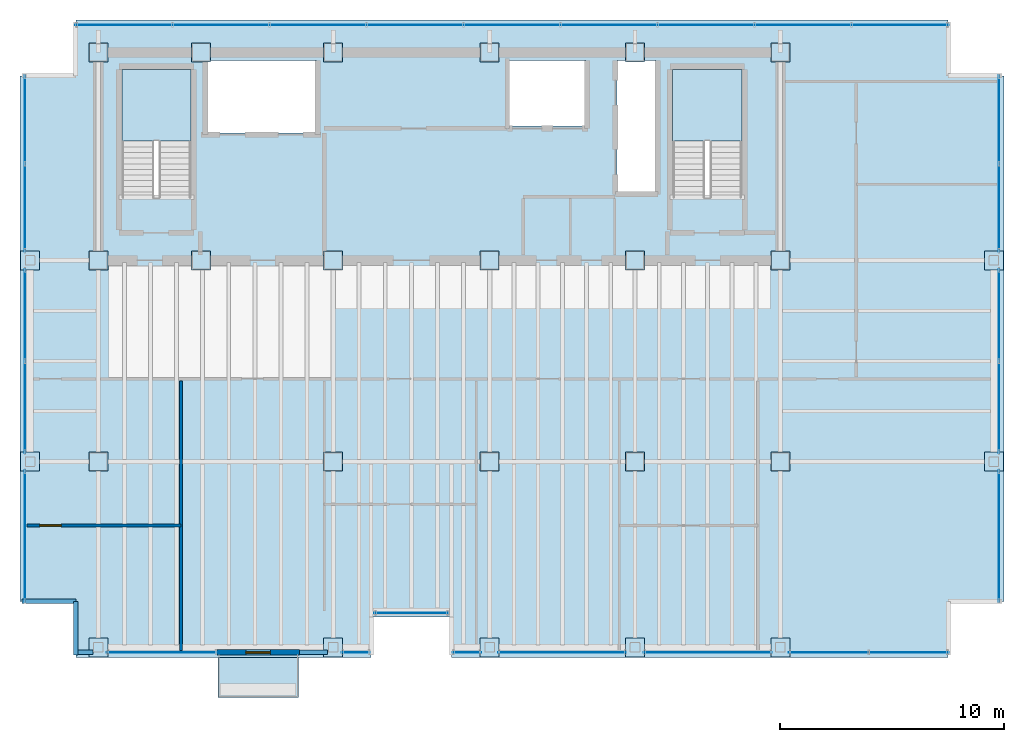
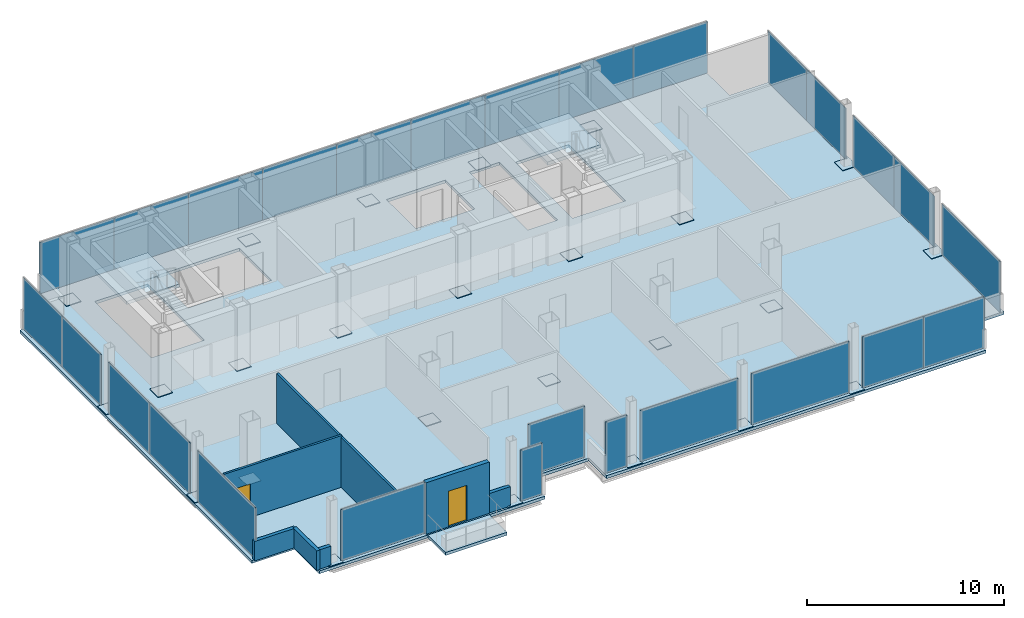
# One storey, part 12 of 15: 53 plates, 7 walls, 4 slabs, 2 doors, 7 openings, 16 elements without a shape of their own.
"""IFC4 building model written with IfcOpenShell, lengths in metres."""

import ifcopenshell
import ifcopenshell.guid

model = None  # the IFC model being written
_history = None  # IfcOwnerHistory: only IFC2X3 demands one
_inside = {}  # id of a spatial element -> (the spatial element, [elements in it])
_under = {}  # id of a project, library or spatial element -> (it, [spatial elements below it])
_declared = {}  # id of a project -> (the project, [libraries it declares])
_typed = {}  # id of a type object -> (the type object, [elements of that type])
_made_of = {}  # id of a material, layer set ... -> (it, [elements and type objects made of it])


def new_model(schema):
    """Start an empty IFC model of exactly this schema.

    Asked for "IFC4X3", IfcOpenShell would pick the latest addendum, in which some entities
    have other attributes; the version numbers below select the first issue.
    IFC2X3 requires an IfcOwnerHistory on every rooted entity: one is made here for all.
    """
    global model, _history
    if schema == "IFC4X3":
        model = ifcopenshell.file(schema_version=(4, 3, 0, 0))
    else:
        model = ifcopenshell.file(schema=schema)
    _inside.clear()
    _under.clear()
    _declared.clear()
    _typed.clear()
    _made_of.clear()
    _history = None
    if model.schema == "IFC2X3":
        org = make("IfcOrganization", Name="unknown")
        user = make(
            "IfcPersonAndOrganization",
            ThePerson=make("IfcPerson", FamilyName="unknown"),
            TheOrganization=org,
        )
        app = make(
            "IfcApplication",
            ApplicationDeveloper=org,
            Version="unknown",
            ApplicationFullName="unknown",
            ApplicationIdentifier="unknown",
        )
        _history = make(
            "IfcOwnerHistory",
            OwningUser=user,
            OwningApplication=app,
            ChangeAction="ADDED",
            CreationDate=0,
        )
    return model


def make(cls, **values):
    """One entity of the class cls with the attributes given. An attribute that is None is left unset."""
    return model.create_entity(
        cls, **{name: value for name, value in values.items() if value is not None}
    )


def rooted(cls, **values):
    """An entity with a GlobalId (a new one), such as an element, a storey or a relation."""
    return make(cls, GlobalId=ifcopenshell.guid.new(), OwnerHistory=_history, **values)


def si_unit(unit_type, name, prefix=None):
    """IfcSIUnit, for example si_unit("LENGTHUNIT", "METRE", prefix="MILLI")."""
    return make("IfcSIUnit", UnitType=unit_type, Prefix=prefix, Name=name)


def assignment(units):
    """IfcUnitAssignment: the units of a project."""
    return None if units is None else make("IfcUnitAssignment", Units=units)


def point(xyz):
    """IfcCartesianPoint."""
    return None if xyz is None else make("IfcCartesianPoint", Coordinates=xyz)


def direction(xyz):
    """IfcDirection."""
    return None if xyz is None else make("IfcDirection", DirectionRatios=xyz)


def frame(location, z_axis=None, x_axis=None):
    """IfcAxis2Placement3D, a coordinate frame: its origin and axes. An axis left out is left unset."""
    return make(
        "IfcAxis2Placement3D",
        Location=point(location),
        Axis=direction(z_axis),
        RefDirection=direction(x_axis),
    )


def frame_2d(location, x_axis=None):
    """IfcAxis2Placement2D, a coordinate frame in the plane: its origin and x axis."""
    return make(
        "IfcAxis2Placement2D", Location=point(location), RefDirection=direction(x_axis)
    )


def origin():
    """The frame at (0, 0, 0) with its axes left unset."""
    return frame((0.0, 0.0, 0.0))


def origin_2d():
    """The frame at (0, 0) in the plane with its x axis left unset."""
    return frame_2d((0.0, 0.0))


def place(relative_to, where):
    """IfcLocalPlacement: puts the frame where relative to a parent placement (None: the world)."""
    return make(
        "IfcLocalPlacement", PlacementRelTo=relative_to, RelativePlacement=where
    )


def context(
    kind, dimensions, precision=None, world=None, true_north=None, identifier=None
):
    """IfcGeometricRepresentationContext, for example the 3D "Model" context."""
    return make(
        "IfcGeometricRepresentationContext",
        ContextIdentifier=identifier,
        ContextType=kind,
        CoordinateSpaceDimension=dimensions,
        Precision=precision,
        WorldCoordinateSystem=world,
        TrueNorth=true_north,
    )


def subcontext(parent, identifier, kind, view, scale=None):
    """IfcGeometricRepresentationSubContext, for example "Body" below "Model"."""
    return make(
        "IfcGeometricRepresentationSubContext",
        ContextIdentifier=identifier,
        ContextType=kind,
        ParentContext=parent,
        TargetScale=scale,
        TargetView=view,
    )


def project(units=None, contexts=None):
    """IfcProject with its units and contexts."""
    return rooted(
        "IfcProject",
        Name="project",
        RepresentationContexts=contexts,
        UnitsInContext=assignment(units),
    )


def spatial(cls, under=None, at=None, **own):
    """A site, building, storey or space (cls), placed at a placement, below another one or the project."""
    s = rooted(cls, ObjectPlacement=at, **own)
    if under is not None:
        _under.setdefault(under.id(), (under, []))[1].append(s)
    return s


def polyline(points):
    """IfcPolyline through the points."""
    return make("IfcPolyline", Points=[point(p) for p in points])


def profile(cls, at=None, kind="AREA", **sizes):
    """A parametric profile (cls). Its sizes go by their IFC names, for example OverallWidth=200.0."""
    return make(cls, ProfileType=kind, Position=at, **sizes)


def rectangle(**sizes):
    """IfcRectangleProfileDef."""
    return profile("IfcRectangleProfileDef", **sizes)


def outline(outer, holes=None, kind="AREA"):
    """IfcArbitraryClosedProfileDef: a profile drawn as a closed curve; with holes, ...WithVoids."""
    if holes is None:
        return make("IfcArbitraryClosedProfileDef", ProfileType=kind, OuterCurve=outer)
    return make(
        "IfcArbitraryProfileDefWithVoids",
        ProfileType=kind,
        OuterCurve=outer,
        InnerCurves=holes,
    )


def extrude(swept, where, along, depth):
    """IfcExtrudedAreaSolid: the profile swept, set in the frame where, extruded along a direction by depth."""
    return make(
        "IfcExtrudedAreaSolid",
        SweptArea=swept,
        Position=where,
        ExtrudedDirection=direction(along),
        Depth=depth,
    )


def shape(context_of_items, identifier, shape_type, items):
    """IfcShapeRepresentation: the items that make up one representation, for example the "Body"."""
    return make(
        "IfcShapeRepresentation",
        ContextOfItems=context_of_items,
        RepresentationIdentifier=identifier,
        RepresentationType=shape_type,
        Items=items,
    )


def material(Name=None, Category=None):
    """IfcMaterial."""
    return make("IfcMaterial", Name=Name, Category=Category)


def layer(
    of_material, thickness, ventilated=None, Name=None, Category=None, Priority=None
):
    """IfcMaterialLayer: one layer of a wall or slab, of a material (None: an air gap)."""
    return make(
        "IfcMaterialLayer",
        Material=of_material,
        LayerThickness=thickness,
        IsVentilated=ventilated,
        Name=Name,
        Category=Category,
        Priority=Priority,
    )


def layer_set(layers, Name=None):
    """IfcMaterialLayerSet."""
    return make("IfcMaterialLayerSet", MaterialLayers=layers, LayerSetName=Name)


def made_of(thing, what):
    """Note that an element or type object is made of a material, layer set ...; save() writes the relation."""
    if what is not None:
        _made_of.setdefault(what.id(), (what, []))[1].append(thing)
    return thing


def type_object(cls, material=None, **own):
    """A type object (cls), such as IfcWallType, which elements share."""
    return made_of(rooted(cls, **own), material)


def element(
    cls,
    number,
    at=None,
    inside=None,
    cuts=None,
    type_object=None,
    material=None,
    context=None,
    identifier="Body",
    shape_type=None,
    held_by="IfcProductDefinitionShape",
    body=None,
    shapes=None,
    **own,
):
    """One element of the class cls, such as IfcWall. Its Tag is "e" and its number.

    at: its placement. inside: the storey or other place that contains it. cuts: it is an
    opening in that element (IfcRelVoidsElement). A single representation is given by context,
    identifier, shape_type and body (its items); several are given by shapes. held_by: the class
    of the entity that holds the representations. save() writes the other relations.
    """
    e = rooted(cls, Tag="e%d" % number, ObjectPlacement=at, **own)
    if body is not None:
        shapes = [shape(context, identifier, shape_type, body)]
    if shapes is not None:
        e.Representation = make(held_by, Representations=shapes)
    if inside is not None:
        _inside.setdefault(inside.id(), (inside, []))[1].append(e)
    if cuts is not None:
        rooted(
            "IfcRelVoidsElement", RelatingBuildingElement=cuts, RelatedOpeningElement=e
        )
    if type_object is not None:
        _typed.setdefault(type_object.id(), (type_object, []))[1].append(e)
    return made_of(e, material)


def fill(opening, filler):
    """IfcRelFillsElement: the door or window that sits in an opening."""
    return rooted(
        "IfcRelFillsElement",
        RelatingOpeningElement=opening,
        RelatedBuildingElement=filler,
    )


def aggregate(whole, parts):
    """IfcRelAggregates: a whole, such as a stair, and the parts it consists of."""
    return rooted("IfcRelAggregates", RelatingObject=whole, RelatedObjects=parts)


def save(model, path):
    """Write the relations noted so far, then the file.

    IfcRelAggregates (storeys below a building ...), IfcRelContainedInSpatialStructure (elements
    in a storey), IfcRelDefinesByType, IfcRelAssociatesMaterial and IfcRelDeclares: one each for
    every whole, place, type object, material and project.
    """
    for whole, parts in _under.values():
        aggregate(whole, parts)
    for where, things in _inside.values():
        rooted(
            "IfcRelContainedInSpatialStructure",
            RelatedElements=things,
            RelatingStructure=where,
        )
    for kind, things in _typed.values():
        rooted("IfcRelDefinesByType", RelatedObjects=things, RelatingType=kind)
    for what, things in _made_of.values():
        rooted("IfcRelAssociatesMaterial", RelatedObjects=things, RelatingMaterial=what)
    for by, libraries in _declared.values():
        rooted("IfcRelDeclares", RelatingContext=by, RelatedDefinitions=libraries)
    model.write(path)


model = new_model("IFC4")

# Units and contexts
model_context = context("Model", 3, precision=1e-05, world=origin(), true_north=direction((0.0, 1.0)))
body_context = subcontext(model_context, "Body", "Model", "MODEL_VIEW")
ifc_project = project(units=[si_unit("LENGTHUNIT", "METRE"), si_unit("AREAUNIT", "SQUARE_METRE"), si_unit("VOLUMEUNIT", "CUBIC_METRE"), si_unit("PLANEANGLEUNIT", "RADIAN"), si_unit("MASSUNIT", "GRAM", prefix="KILO")], contexts=[model_context])

# Site, building, storey
site_placement = place(None, origin())
site = spatial("IfcSite", under=ifc_project, at=site_placement, CompositionType="ELEMENT")
building_placement = place(site_placement, origin())
building = spatial("IfcBuilding", under=site, at=building_placement, Name="Noeulbin Bourse Tower", CompositionType="ELEMENT")
storey_placement = place(building_placement, frame((0.0, 0.0, 222.800048828125)))
storey = spatial("IfcBuildingStorey", under=building, at=storey_placement, Name="L55", CompositionType="ELEMENT", Elevation=222.800048828125)

# Curtain wall, plate
ifc_material_1 = material(Name="High-Selectivity Low-Iron Glazing", Category="glass")
curtain_wall_type = type_object("IfcCurtainWallType", Name="CW-SYS-4", PredefinedType="NOTDEFINED", material=ifc_material_1)
curtain_wall_1_placement = place(storey_placement, origin())
curtain_wall_1 = element("IfcCurtainWall", 1, at=curtain_wall_1_placement, inside=storey, type_object=curtain_wall_type, Name="Unitised Curtain Wall CW-L55-SREC", PredefinedType="NOTDEFINED")
ifc_layer_1 = layer(ifc_material_1, 0.035888671875)
ifc_layer_set_1 = layer_set([ifc_layer_1], Name="High-Selectivity Low-Iron Glazing")
plate_type_1 = type_object("IfcPlateType", Name="CW-SYS-4-PNL", PredefinedType="CURTAIN_PANEL", material=ifc_layer_set_1)
plate_1_placement = place(storey_placement, frame((27.5, 13.22998046875, 0.0), z_axis=(0.0, 0.0, 1.0), x_axis=(1.0, 0.0, 0.0)))
plate_1 = element("IfcPlate", 2, at=plate_1_placement, type_object=plate_type_1, Name="Glazed Curtain Panel CW-L55-SREC-P00", PredefinedType="CURTAIN_PANEL", context=body_context, shape_type="SweptSolid", body=[
    extrude(rectangle(XDim=3.300048828125, YDim=0.035888671875, at=origin_2d()), origin(), (0.0, 0.0, 1.0), 3.179931640625),
])
aggregate(curtain_wall_1, [plate_1])

curtain_wall_2_placement = place(storey_placement, origin())
curtain_wall_2 = element("IfcCurtainWall", 3, at=curtain_wall_2_placement, inside=storey, type_object=curtain_wall_type, Name="Unitised Curtain Wall CW-L55-S1", PredefinedType="NOTDEFINED")
plate_2_placement = place(storey_placement, frame((16.342529296875, 11.469970703125, 0.0), z_axis=(0.0, 0.0, 1.0), x_axis=(1.0, 0.0, 0.0)))
plate_2 = element("IfcPlate", 4, at=plate_2_placement, type_object=plate_type_1, Name="Glazed Curtain Panel CW-L55-S1-P00", PredefinedType="CURTAIN_PANEL", context=body_context, shape_type="SweptSolid", body=[
    extrude(rectangle(XDim=4.9150390625, YDim=0.035888671875, at=origin_2d()), origin(), (0.0, 0.0, 1.0), 3.179931640625),
])
aggregate(curtain_wall_2, [plate_2])

curtain_wall_3_placement = place(storey_placement, origin())
curtain_wall_3 = element("IfcCurtainWall", 5, at=curtain_wall_3_placement, inside=storey, type_object=curtain_wall_type, Name="Unitised Curtain Wall CW-L55-S2", PredefinedType="NOTDEFINED")
plate_3_placement = place(storey_placement, frame((25.017578125, 11.469970703125, 0.0), z_axis=(0.0, 0.0, 1.0), x_axis=(1.0, 0.0, 0.0)))
plate_3 = element("IfcPlate", 6, at=plate_3_placement, type_object=plate_type_1, Name="Glazed Curtain Panel CW-L55-S2-P00", PredefinedType="CURTAIN_PANEL", context=body_context, shape_type="SweptSolid", body=[
    extrude(rectangle(XDim=1.264892578125, YDim=0.035888671875, at=origin_2d()), origin(), (0.0, 0.0, 1.0), 3.179931640625),
])
aggregate(curtain_wall_3, [plate_3])

curtain_wall_4_placement = place(storey_placement, origin())
curtain_wall_4 = element("IfcCurtainWall", 7, at=curtain_wall_4_placement, inside=storey, type_object=curtain_wall_type, Name="Unitised Curtain Wall CW-L55-S3-S1", PredefinedType="NOTDEFINED")
plate_4_placement = place(storey_placement, frame((29.982421875, 11.469970703125, 0.0), z_axis=(0.0, 0.0, 1.0), x_axis=(1.0, 0.0, 0.0)))
plate_4 = element("IfcPlate", 8, at=plate_4_placement, type_object=plate_type_1, Name="Glazed Curtain Panel CW-L55-S3-S1-P00", PredefinedType="CURTAIN_PANEL", context=body_context, shape_type="SweptSolid", body=[
    extrude(rectangle(XDim=1.264892578125, YDim=0.035888671875, at=origin_2d()), origin(), (0.0, 0.0, 1.0), 3.179931640625),
])
aggregate(curtain_wall_4, [plate_4])

curtain_wall_5_placement = place(storey_placement, origin())
curtain_wall_5 = element("IfcCurtainWall", 9, at=curtain_wall_5_placement, inside=storey, type_object=curtain_wall_type, Name="Unitised Curtain Wall CW-L55-S3-S2", PredefinedType="NOTDEFINED")
plate_5_placement = place(storey_placement, frame((34.25, 11.469970703125, 0.0), z_axis=(0.0, 0.0, 1.0), x_axis=(1.0, 0.0, 0.0)))
plate_5 = element("IfcPlate", 10, at=plate_5_placement, type_object=plate_type_1, Name="Glazed Curtain Panel CW-L55-S3-S2-P00", PredefinedType="CURTAIN_PANEL", context=body_context, shape_type="SweptSolid", body=[
    extrude(rectangle(XDim=5.72998046875, YDim=0.035888671875, at=origin_2d()), origin(), (0.0, 0.0, 1.0), 3.179931640625),
])
aggregate(curtain_wall_5, [plate_5])

curtain_wall_6_placement = place(storey_placement, origin())
curtain_wall_6 = element("IfcCurtainWall", 11, at=curtain_wall_6_placement, inside=storey, type_object=curtain_wall_type, Name="Unitised Curtain Wall CW-L55-S3-S3", PredefinedType="NOTDEFINED")
plate_6_placement = place(storey_placement, frame((40.75, 11.469970703125, 0.0), z_axis=(0.0, 0.0, 1.0), x_axis=(1.0, 0.0, 0.0)))
plate_6 = element("IfcPlate", 12, at=plate_6_placement, type_object=plate_type_1, Name="Glazed Curtain Panel CW-L55-S3-S3-P00", PredefinedType="CURTAIN_PANEL", context=body_context, shape_type="SweptSolid", body=[
    extrude(rectangle(XDim=5.72998046875, YDim=0.035888671875, at=origin_2d()), origin(), (0.0, 0.0, 1.0), 3.179931640625),
])
aggregate(curtain_wall_6, [plate_6])

# Curtain wall, plates
curtain_wall_7_placement = place(storey_placement, origin())
curtain_wall_7 = element("IfcCurtainWall", 13, at=curtain_wall_7_placement, inside=storey, type_object=curtain_wall_type, Name="Unitised Curtain Wall CW-L55-S3-S4", PredefinedType="NOTDEFINED")
plate_7_placement = place(storey_placement, frame((46.168701171875, 11.469970703125, 0.0), z_axis=(0.0, 0.0, 1.0), x_axis=(1.0, 0.0, 0.0)))
plate_7 = element("IfcPlate", 14, at=plate_7_placement, type_object=plate_type_1, Name="Glazed Curtain Panel CW-L55-S3-S4-P00", PredefinedType="CURTAIN_PANEL", context=body_context, shape_type="SweptSolid", body=[
    extrude(rectangle(XDim=3.5673828125, YDim=0.035888671875, at=origin_2d()), origin(), (0.0, 0.0, 1.0), 3.179931640625),
])
plate_8_placement = place(storey_placement, frame((49.736083984375, 11.469970703125, 0.0), z_axis=(0.0, 0.0, 1.0), x_axis=(1.0, 0.0, 0.0)))
plate_8 = element("IfcPlate", 15, at=plate_8_placement, type_object=plate_type_1, Name="Glazed Curtain Panel CW-L55-S3-S4-P01", PredefinedType="CURTAIN_PANEL", context=body_context, shape_type="SweptSolid", body=[
    extrude(rectangle(XDim=3.5673828125, YDim=0.035888671875, at=origin_2d()), origin(), (0.0, 0.0, 1.0), 3.179931640625),
])
aggregate(curtain_wall_7, [plate_7, plate_8])

curtain_wall_8_placement = place(storey_placement, origin())
curtain_wall_8 = element("IfcCurtainWall", 16, at=curtain_wall_8_placement, inside=storey, type_object=curtain_wall_type, Name="Unitised Curtain Wall CW-L55-N", PredefinedType="NOTDEFINED")
plate_9_placement = place(storey_placement, frame((14.64892578125, 39.530029296875, 0.0), z_axis=(0.0, 0.0, 1.0), x_axis=(1.0, 0.0, 0.0)))
plate_9 = element("IfcPlate", 17, at=plate_9_placement, type_object=plate_type_1, Name="Glazed Curtain Panel CW-L55-N-P00", PredefinedType="CURTAIN_PANEL", context=body_context, shape_type="SweptSolid", body=[
    extrude(rectangle(XDim=4.337890625, YDim=0.035888671875, at=origin_2d()), origin(), (0.0, 0.0, 1.0), 3.179931640625),
])
plate_10_placement = place(storey_placement, frame((18.98681640625, 39.530029296875, 0.0), z_axis=(0.0, 0.0, 1.0), x_axis=(1.0, 0.0, 0.0)))
plate_10 = element("IfcPlate", 18, at=plate_10_placement, type_object=plate_type_1, Name="Glazed Curtain Panel CW-L55-N-P01", PredefinedType="CURTAIN_PANEL", context=body_context, shape_type="SweptSolid", body=[
    extrude(rectangle(XDim=4.337890625, YDim=0.035888671875, at=origin_2d()), origin(), (0.0, 0.0, 1.0), 3.179931640625),
])
plate_11_placement = place(storey_placement, frame((23.324462890625, 39.530029296875, 0.0), z_axis=(0.0, 0.0, 1.0), x_axis=(1.0, 0.0, 0.0)))
plate_11 = element("IfcPlate", 19, at=plate_11_placement, type_object=plate_type_1, Name="Glazed Curtain Panel CW-L55-N-P02", PredefinedType="CURTAIN_PANEL", context=body_context, shape_type="SweptSolid", body=[
    extrude(rectangle(XDim=4.337890625, YDim=0.035888671875, at=origin_2d()), origin(), (0.0, 0.0, 1.0), 3.179931640625),
])
plate_12_placement = place(storey_placement, frame((27.662109375, 39.530029296875, 0.0), z_axis=(0.0, 0.0, 1.0), x_axis=(1.0, 0.0, 0.0)))
plate_12 = element("IfcPlate", 20, at=plate_12_placement, type_object=plate_type_1, Name="Glazed Curtain Panel CW-L55-N-P03", PredefinedType="CURTAIN_PANEL", context=body_context, shape_type="SweptSolid", body=[
    extrude(rectangle(XDim=4.337890625, YDim=0.035888671875, at=origin_2d()), origin(), (0.0, 0.0, 1.0), 3.179931640625),
])
plate_13_placement = place(storey_placement, frame((32.0, 39.530029296875, 0.0), z_axis=(0.0, 0.0, 1.0), x_axis=(1.0, 0.0, 0.0)))
plate_13 = element("IfcPlate", 21, at=plate_13_placement, type_object=plate_type_1, Name="Glazed Curtain Panel CW-L55-N-P04", PredefinedType="CURTAIN_PANEL", context=body_context, shape_type="SweptSolid", body=[
    extrude(rectangle(XDim=4.337890625, YDim=0.035888671875, at=origin_2d()), origin(), (0.0, 0.0, 1.0), 3.179931640625),
])
plate_14_placement = place(storey_placement, frame((36.337890625, 39.530029296875, 0.0), z_axis=(0.0, 0.0, 1.0), x_axis=(1.0, 0.0, 0.0)))
plate_14 = element("IfcPlate", 22, at=plate_14_placement, type_object=plate_type_1, Name="Glazed Curtain Panel CW-L55-N-P05", PredefinedType="CURTAIN_PANEL", context=body_context, shape_type="SweptSolid", body=[
    extrude(rectangle(XDim=4.337890625, YDim=0.035888671875, at=origin_2d()), origin(), (0.0, 0.0, 1.0), 3.179931640625),
])
plate_15_placement = place(storey_placement, frame((40.675537109375, 39.530029296875, 0.0), z_axis=(0.0, 0.0, 1.0), x_axis=(1.0, 0.0, 0.0)))
plate_15 = element("IfcPlate", 23, at=plate_15_placement, type_object=plate_type_1, Name="Glazed Curtain Panel CW-L55-N-P06", PredefinedType="CURTAIN_PANEL", context=body_context, shape_type="SweptSolid", body=[
    extrude(rectangle(XDim=4.337890625, YDim=0.035888671875, at=origin_2d()), origin(), (0.0, 0.0, 1.0), 3.179931640625),
])
plate_16_placement = place(storey_placement, frame((45.01318359375, 39.530029296875, 0.0), z_axis=(0.0, 0.0, 1.0), x_axis=(1.0, 0.0, 0.0)))
plate_16 = element("IfcPlate", 24, at=plate_16_placement, type_object=plate_type_1, Name="Glazed Curtain Panel CW-L55-N-P07", PredefinedType="CURTAIN_PANEL", context=body_context, shape_type="SweptSolid", body=[
    extrude(rectangle(XDim=4.337890625, YDim=0.035888671875, at=origin_2d()), origin(), (0.0, 0.0, 1.0), 3.179931640625),
])
plate_17_placement = place(storey_placement, frame((49.35107421875, 39.530029296875, 0.0), z_axis=(0.0, 0.0, 1.0), x_axis=(1.0, 0.0, 0.0)))
plate_17 = element("IfcPlate", 25, at=plate_17_placement, type_object=plate_type_1, Name="Glazed Curtain Panel CW-L55-N-P08", PredefinedType="CURTAIN_PANEL", context=body_context, shape_type="SweptSolid", body=[
    extrude(rectangle(XDim=4.337890625, YDim=0.035888671875, at=origin_2d()), origin(), (0.0, 0.0, 1.0), 3.179931640625),
])
aggregate(curtain_wall_8, [plate_9, plate_10, plate_11, plate_12, plate_13, plate_14, plate_15, plate_16, plate_17])

# Curtain wall, plate
curtain_wall_9_placement = place(storey_placement, origin())
curtain_wall_9 = element("IfcCurtainWall", 26, at=curtain_wall_9_placement, inside=storey, type_object=curtain_wall_type, Name="Unitised Curtain Wall CW-L55-W-S1", PredefinedType="NOTDEFINED")
plate_18_placement = place(storey_placement, frame((10.219970703125, 16.672607421875, 0.0), z_axis=(0.0, 0.0, 1.0), x_axis=(0.0, 1.0, 0.0)))
plate_18 = element("IfcPlate", 27, at=plate_18_placement, type_object=plate_type_1, Name="Glazed Curtain Panel CW-L55-W-S1-P00", PredefinedType="CURTAIN_PANEL", context=body_context, shape_type="SweptSolid", body=[
    extrude(rectangle(XDim=5.885009765625, YDim=0.035888671875, at=origin_2d()), origin(), (0.0, 0.0, 1.0), 3.179931640625),
])
aggregate(curtain_wall_9, [plate_18])

# Curtain wall, plates
curtain_wall_10_placement = place(storey_placement, origin())
curtain_wall_10 = element("IfcCurtainWall", 28, at=curtain_wall_10_placement, inside=storey, type_object=curtain_wall_type, Name="Unitised Curtain Wall CW-L55-W-S2", PredefinedType="NOTDEFINED")
plate_19_placement = place(storey_placement, frame((10.219970703125, 22.4423828125, 0.0), z_axis=(0.0, 0.0, 1.0), x_axis=(0.0, 1.0, 0.0)))
plate_19 = element("IfcPlate", 29, at=plate_19_placement, type_object=plate_type_1, Name="Glazed Curtain Panel CW-L55-W-S2-P00", PredefinedType="CURTAIN_PANEL", context=body_context, shape_type="SweptSolid", body=[
    extrude(rectangle(XDim=4.114990234375, YDim=0.035888671875, at=origin_2d()), origin(), (0.0, 0.0, 1.0), 3.179931640625),
])
plate_20_placement = place(storey_placement, frame((10.219970703125, 26.5576171875, 0.0), z_axis=(0.0, 0.0, 1.0), x_axis=(0.0, 1.0, 0.0)))
plate_20 = element("IfcPlate", 30, at=plate_20_placement, type_object=plate_type_1, Name="Glazed Curtain Panel CW-L55-W-S2-P01", PredefinedType="CURTAIN_PANEL", context=body_context, shape_type="SweptSolid", body=[
    extrude(rectangle(XDim=4.114990234375, YDim=0.035888671875, at=origin_2d()), origin(), (0.0, 0.0, 1.0), 3.179931640625),
])
aggregate(curtain_wall_10, [plate_19, plate_20])

curtain_wall_11_placement = place(storey_placement, origin())
curtain_wall_11 = element("IfcCurtainWall", 31, at=curtain_wall_11_placement, inside=storey, type_object=curtain_wall_type, Name="Unitised Curtain Wall CW-L55-W-S3", PredefinedType="NOTDEFINED")
plate_21_placement = place(storey_placement, frame((10.219970703125, 31.356201171875, 0.0), z_axis=(0.0, 0.0, 1.0), x_axis=(0.0, 1.0, 0.0)))
plate_21 = element("IfcPlate", 32, at=plate_21_placement, type_object=plate_type_1, Name="Glazed Curtain Panel CW-L55-W-S3-P00", PredefinedType="CURTAIN_PANEL", context=body_context, shape_type="SweptSolid", body=[
    extrude(rectangle(XDim=3.9423828125, YDim=0.035888671875, at=origin_2d()), origin(), (0.0, 0.0, 1.0), 3.179931640625),
])
plate_22_placement = place(storey_placement, frame((10.219970703125, 35.298828125, 0.0), z_axis=(0.0, 0.0, 1.0), x_axis=(0.0, 1.0, 0.0)))
plate_22 = element("IfcPlate", 33, at=plate_22_placement, type_object=plate_type_1, Name="Glazed Curtain Panel CW-L55-W-S3-P01", PredefinedType="CURTAIN_PANEL", context=body_context, shape_type="SweptSolid", body=[
    extrude(rectangle(XDim=3.9423828125, YDim=0.035888671875, at=origin_2d()), origin(), (0.0, 0.0, 1.0), 3.179931640625),
])
aggregate(curtain_wall_11, [plate_21, plate_22])

# Curtain wall, plate
curtain_wall_12_placement = place(storey_placement, origin())
curtain_wall_12 = element("IfcCurtainWall", 34, at=curtain_wall_12_placement, inside=storey, type_object=curtain_wall_type, Name="Unitised Curtain Wall CW-L55-E-S1", PredefinedType="NOTDEFINED")
plate_23_placement = place(storey_placement, frame((53.780029296875, 16.672607421875, 0.0), z_axis=(0.0, 0.0, 1.0), x_axis=(0.0, 1.0, 0.0)))
plate_23 = element("IfcPlate", 35, at=plate_23_placement, type_object=plate_type_1, Name="Glazed Curtain Panel CW-L55-E-S1-P00", PredefinedType="CURTAIN_PANEL", context=body_context, shape_type="SweptSolid", body=[
    extrude(rectangle(XDim=5.885009765625, YDim=0.035888671875, at=origin_2d()), origin(), (0.0, 0.0, 1.0), 3.179931640625),
])
aggregate(curtain_wall_12, [plate_23])

# Curtain wall, plates
curtain_wall_13_placement = place(storey_placement, origin())
curtain_wall_13 = element("IfcCurtainWall", 36, at=curtain_wall_13_placement, inside=storey, type_object=curtain_wall_type, Name="Unitised Curtain Wall CW-L55-E-S2", PredefinedType="NOTDEFINED")
plate_24_placement = place(storey_placement, frame((53.780029296875, 22.4423828125, 0.0), z_axis=(0.0, 0.0, 1.0), x_axis=(0.0, 1.0, 0.0)))
plate_24 = element("IfcPlate", 37, at=plate_24_placement, type_object=plate_type_1, Name="Glazed Curtain Panel CW-L55-E-S2-P00", PredefinedType="CURTAIN_PANEL", context=body_context, shape_type="SweptSolid", body=[
    extrude(rectangle(XDim=4.114990234375, YDim=0.035888671875, at=origin_2d()), origin(), (0.0, 0.0, 1.0), 3.179931640625),
])
plate_25_placement = place(storey_placement, frame((53.780029296875, 26.5576171875, 0.0), z_axis=(0.0, 0.0, 1.0), x_axis=(0.0, 1.0, 0.0)))
plate_25 = element("IfcPlate", 38, at=plate_25_placement, type_object=plate_type_1, Name="Glazed Curtain Panel CW-L55-E-S2-P01", PredefinedType="CURTAIN_PANEL", context=body_context, shape_type="SweptSolid", body=[
    extrude(rectangle(XDim=4.114990234375, YDim=0.035888671875, at=origin_2d()), origin(), (0.0, 0.0, 1.0), 3.179931640625),
])
aggregate(curtain_wall_13, [plate_24, plate_25])

curtain_wall_14_placement = place(storey_placement, origin())
curtain_wall_14 = element("IfcCurtainWall", 39, at=curtain_wall_14_placement, inside=storey, type_object=curtain_wall_type, Name="Unitised Curtain Wall CW-L55-E-S3", PredefinedType="NOTDEFINED")
plate_26_placement = place(storey_placement, frame((53.780029296875, 31.356201171875, 0.0), z_axis=(0.0, 0.0, 1.0), x_axis=(0.0, 1.0, 0.0)))
plate_26 = element("IfcPlate", 40, at=plate_26_placement, type_object=plate_type_1, Name="Glazed Curtain Panel CW-L55-E-S3-P00", PredefinedType="CURTAIN_PANEL", context=body_context, shape_type="SweptSolid", body=[
    extrude(rectangle(XDim=3.9423828125, YDim=0.035888671875, at=origin_2d()), origin(), (0.0, 0.0, 1.0), 3.179931640625),
])
plate_27_placement = place(storey_placement, frame((53.780029296875, 35.298828125, 0.0), z_axis=(0.0, 0.0, 1.0), x_axis=(0.0, 1.0, 0.0)))
plate_27 = element("IfcPlate", 41, at=plate_27_placement, type_object=plate_type_1, Name="Glazed Curtain Panel CW-L55-E-S3-P01", PredefinedType="CURTAIN_PANEL", context=body_context, shape_type="SweptSolid", body=[
    extrude(rectangle(XDim=3.9423828125, YDim=0.035888671875, at=origin_2d()), origin(), (0.0, 0.0, 1.0), 3.179931640625),
])
aggregate(curtain_wall_14, [plate_26, plate_27])

# Plates
ifc_material_2 = material(Name="Steel S355", Category="steel")
ifc_layer_2 = layer(ifc_material_2, 0.030029296875)
ifc_layer_set_2 = layer_set([ifc_layer_2], Name="Steel S355")
plate_type_2 = type_object("IfcPlateType", Name="PLT-BN1", PredefinedType="USERDEFINED", material=ifc_layer_set_2)
for number, where, z_axis, x_axis, name in (
    (42, (13.5, 29.0, 0.0048828125), (0.0, 0.0, 1.0), (1.0, 0.0, 0.0), "Mega-Column Splice Plate BN1-L55-01"),
    (43, (13.5, 38.300048828125, 0.0048828125), (0.0, 0.0, 1.0), (1.0, 0.0, 0.0), "Mega-Column Splice Plate BN1-L55-02"),
    (44, (18.10009765625, 29.0, 0.0048828125), (0.0, 0.0, 1.0), (1.0, 0.0, 0.0), "Mega-Column Splice Plate BN1-L55-03"),
    (45, (18.10009765625, 38.300048828125, 0.0048828125), (0.0, 0.0, 1.0), (1.0, 0.0, 0.0), "Mega-Column Splice Plate BN1-L55-04"),
    (46, (24.0, 29.0, 0.0048828125), (0.0, 0.0, 1.0), (1.0, 0.0, 0.0), "Mega-Column Splice Plate BN1-L55-05"),
    (47, (24.0, 38.300048828125, 0.0048828125), (0.0, 0.0, 1.0), (1.0, 0.0, 0.0), "Mega-Column Splice Plate BN1-L55-06"),
    (48, (31.0, 29.0, 0.0048828125), (0.0, 0.0, 1.0), (1.0, 0.0, 0.0), "Mega-Column Splice Plate BN1-L55-07"),
    (49, (31.0, 38.300048828125, 0.0048828125), (0.0, 0.0, 1.0), (1.0, 0.0, 0.0), "Mega-Column Splice Plate BN1-L55-08"),
    (50, (37.5, 29.0, 0.0048828125), (0.0, 0.0, 1.0), (1.0, 0.0, 0.0), "Mega-Column Splice Plate BN1-L55-09"),
    (51, (37.5, 38.300048828125, 0.0048828125), (0.0, 0.0, 1.0), (1.0, 0.0, 0.0), "Mega-Column Splice Plate BN1-L55-10"),
    (52, (44.0, 29.0, 0.0048828125), (0.0, 0.0, 1.0), (1.0, 0.0, 0.0), "Mega-Column Splice Plate BN1-L55-11"),
    (53, (44.0, 38.300048828125, 0.0048828125), (0.0, 0.0, 1.0), (1.0, 0.0, 0.0), "Mega-Column Splice Plate BN1-L55-12"),
    (54, (13.5, 20.0, 0.0048828125), (0.0, 0.0, 1.0), (1.0, 0.0, 0.0), "Mega-Column Splice Plate BN1-L55-13"),
    (55, (24.0, 20.0, 0.0048828125), (0.0, 0.0, 1.0), (1.0, 0.0, 0.0), "Mega-Column Splice Plate BN1-L55-14"),
    (56, (31.0, 20.0, 0.0048828125), (0.0, 0.0, 1.0), (1.0, 0.0, 0.0), "Mega-Column Splice Plate BN1-L55-15"),
    (57, (37.5, 20.0, 0.0048828125), (0.0, 0.0, 1.0), (1.0, 0.0, 0.0), "Mega-Column Splice Plate BN1-L55-16"),
    (58, (44.0, 20.0, 0.0048828125), (0.0, 0.0, 1.0), (1.0, 0.0, 0.0), "Mega-Column Splice Plate BN1-L55-17"),
    (59, (10.449951171875, 20.0, 0.0048828125), (0.0, 0.0, 1.0), (1.0, 0.0, 0.0), "Perimeter Column Splice Plate BN1-L55-01"),
    (60, (10.449951171875, 29.0, 0.0048828125), (0.0, 0.0, 1.0), (1.0, 0.0, 0.0), "Perimeter Column Splice Plate BN1-L55-02"),
    (61, (13.5, 11.699951171875, 0.0048828125), (0.0, 0.0, 1.0), (1.0, 0.0, 0.0), "Perimeter Column Splice Plate BN1-L55-03"),
    (62, (24.0, 11.699951171875, 0.0048828125), (0.0, 0.0, 1.0), (1.0, 0.0, 0.0), "Perimeter Column Splice Plate BN1-L55-04"),
    (63, (31.0, 11.699951171875, 0.0048828125), (0.0, 0.0, 1.0), (1.0, 0.0, 0.0), "Perimeter Column Splice Plate BN1-L55-05"),
    (64, (37.5, 11.699951171875, 0.0048828125), (0.0, 0.0, 1.0), (1.0, 0.0, 0.0), "Perimeter Column Splice Plate BN1-L55-06"),
    (65, (44.0, 11.699951171875, 0.0048828125), (0.0, 0.0, 1.0), (1.0, 0.0, 0.0), "Perimeter Column Splice Plate BN1-L55-07"),
    (66, (53.550048828125, 20.0, 0.0048828125), (0.0, 0.0, 1.0), (1.0, 0.0, 0.0), "Perimeter Column Splice Plate BN1-L55-08"),
    (67, (53.550048828125, 29.0, 0.0048828125), (0.0, 0.0, 1.0), (1.0, 0.0, 0.0), "Perimeter Column Splice Plate BN1-L55-09"),
):
    element("IfcPlate", number, at=place(storey_placement, frame(where, z_axis=z_axis, x_axis=x_axis)), inside=storey, type_object=plate_type_2, Name=name, ObjectType="SPLICE PLATE", PredefinedType="USERDEFINED", context=body_context, shape_type="SweptSolid", body=[
        extrude(rectangle(XDim=0.85009765625, YDim=0.85009765625, at=origin_2d()), origin(), (0.0, 0.0, 1.0), 0.030029296875),
    ])

# Stair, slab
ifc_material_3 = material(Name="Concrete C40/50", Category="concrete")
stair_type = type_object("IfcStairType", Name="STR-CORE-1560", PredefinedType="HALF_TURN_STAIR", material=ifc_material_3)
stair_1_placement = place(storey_placement, origin())
stair_1 = element("IfcStair", 68, at=stair_1_placement, inside=storey, type_object=stair_type, Name="L55 ST-1", PredefinedType="HALF_TURN_STAIR")
ifc_layer_3 = layer(ifc_material_3, 0.199951171875)
ifc_layer_set_3 = layer_set([ifc_layer_3], Name="Concrete C40/50")
slab_type_1 = type_object("IfcSlabType", Name="SLB-LND-200", PredefinedType="LANDING", material=ifc_layer_set_3)
slab_1_placement = place(storey_placement, frame((0.0, 0.0, 1.75)))
slab_1 = element("IfcSlab", 69, at=slab_1_placement, type_object=slab_type_1, Name="ST-1 landing 1", PredefinedType="LANDING", context=body_context, shape_type="SweptSolid", body=[
    extrude(outline(polyline([(17.64990234375, 34.330078125), (17.64990234375, 37.5439453125), (14.550048828125, 37.5439453125), (14.550048828125, 34.330078125), (17.64990234375, 34.330078125)])), origin(), (0.0, 0.0, 1.0), 0.199951171875),
])
aggregate(stair_1, [slab_1])

stair_2_placement = place(storey_placement, origin())
stair_2 = element("IfcStair", 70, at=stair_2_placement, inside=storey, type_object=stair_type, Name="L55 ST-2", PredefinedType="HALF_TURN_STAIR")
slab_2_placement = place(storey_placement, frame((0.0, 0.0, 1.75)))
slab_2 = element("IfcSlab", 71, at=slab_2_placement, type_object=slab_type_1, Name="ST-2 landing 1", PredefinedType="LANDING", context=body_context, shape_type="SweptSolid", body=[
    extrude(outline(polyline([(42.280029296875, 34.330078125), (42.280029296875, 37.5439453125), (39.179931640625, 37.5439453125), (39.179931640625, 34.330078125), (42.280029296875, 34.330078125)])), origin(), (0.0, 0.0, 1.0), 0.199951171875),
])
aggregate(stair_2, [slab_2])

# Slab, openings
ifc_layer_4 = layer(ifc_material_3, 0.179931640625)
ifc_layer_set_4 = layer_set([ifc_layer_4], Name="Concrete C40/50")
slab_type_2 = type_object("IfcSlabType", Name="SLB-TYP-180", PredefinedType="FLOOR", material=ifc_layer_set_4)
slab_3_placement = place(storey_placement, frame((0.0, 0.0, -0.179931640625)))
slab_3 = element("IfcSlab", 72, at=slab_3_placement, inside=storey, type_object=slab_type_2, Name="Tower Structural Floor Slab L55", PredefinedType="FLOOR", context=body_context, shape_type="SweptSolid", body=[
    extrude(outline(polyline([(12.5, 11.25), (25.699951171875, 11.25), (25.699951171875, 13.050048828125), (29.300048828125, 13.050048828125), (29.300048828125, 11.25), (51.5, 11.25), (51.5, 13.75), (54.0, 13.75), (54.0, 37.25), (51.5, 37.25), (51.5, 39.75), (12.5, 39.75), (12.5, 37.25), (10.0, 37.25), (10.0, 13.75), (12.5, 13.75), (12.5, 11.25)]), holes=[polyline([(17.64990234375, 31.81005859375), (17.64990234375, 37.5439453125), (14.550048828125, 37.5439453125), (14.550048828125, 31.81005859375), (17.64990234375, 31.81005859375)]), polyline([(42.280029296875, 31.81005859375), (42.280029296875, 37.5439453125), (39.179931640625, 37.5439453125), (39.179931640625, 31.81005859375), (42.280029296875, 31.81005859375)]), polyline([(18.35009765625, 34.699951171875), (23.25, 34.699951171875), (23.25, 37.949951171875), (18.35009765625, 37.949951171875), (18.35009765625, 34.699951171875)]), polyline([(36.699951171875, 32.050048828125), (38.449951171875, 32.050048828125), (38.449951171875, 37.949951171875), (36.699951171875, 37.949951171875), (36.699951171875, 32.050048828125)]), polyline([(31.85009765625, 35.0), (35.300048828125, 35.0), (35.300048828125, 37.949951171875), (31.85009765625, 37.949951171875), (31.85009765625, 35.0)])]), origin(), (0.0, 0.0, 1.0), 0.179931640625),
])
opening_1_placement = place(slab_3_placement, frame((0.0, 0.0, -0.010009765625)))
element("IfcOpeningElement", 73, at=opening_1_placement, cuts=slab_3, Name="Slab Shaft Opening SLB-L55-TWR-1", PredefinedType="OPENING", context=body_context, shape_type="SweptSolid", body=[
    extrude(outline(polyline([(17.64990234375, 31.81005859375), (17.64990234375, 37.5439453125), (14.550048828125, 37.5439453125), (14.550048828125, 31.81005859375), (17.64990234375, 31.81005859375)])), origin(), (0.0, 0.0, 1.0), 0.199951171875),
])
opening_2_placement = place(slab_3_placement, frame((0.0, 0.0, -0.010009765625)))
element("IfcOpeningElement", 74, at=opening_2_placement, cuts=slab_3, Name="Slab Shaft Opening SLB-L55-TWR-2", PredefinedType="OPENING", context=body_context, shape_type="SweptSolid", body=[
    extrude(outline(polyline([(42.280029296875, 31.81005859375), (42.280029296875, 37.5439453125), (39.179931640625, 37.5439453125), (39.179931640625, 31.81005859375), (42.280029296875, 31.81005859375)])), origin(), (0.0, 0.0, 1.0), 0.199951171875),
])
opening_3_placement = place(slab_3_placement, frame((0.0, 0.0, -0.010009765625)))
element("IfcOpeningElement", 75, at=opening_3_placement, cuts=slab_3, Name="Slab Shaft Opening SLB-L55-TWR-3", PredefinedType="OPENING", context=body_context, shape_type="SweptSolid", body=[
    extrude(outline(polyline([(18.35009765625, 34.699951171875), (23.25, 34.699951171875), (23.25, 37.949951171875), (18.35009765625, 37.949951171875), (18.35009765625, 34.699951171875)])), origin(), (0.0, 0.0, 1.0), 0.199951171875),
])
opening_4_placement = place(slab_3_placement, frame((0.0, 0.0, -0.010009765625)))
element("IfcOpeningElement", 76, at=opening_4_placement, cuts=slab_3, Name="Slab Shaft Opening SLB-L55-TWR-4", PredefinedType="OPENING", context=body_context, shape_type="SweptSolid", body=[
    extrude(outline(polyline([(36.699951171875, 32.050048828125), (38.449951171875, 32.050048828125), (38.449951171875, 37.949951171875), (36.699951171875, 37.949951171875), (36.699951171875, 32.050048828125)])), origin(), (0.0, 0.0, 1.0), 0.199951171875),
])
opening_5_placement = place(slab_3_placement, frame((0.0, 0.0, -0.010009765625)))
element("IfcOpeningElement", 77, at=opening_5_placement, cuts=slab_3, Name="Slab Shaft Opening SLB-L55-TWR-5", PredefinedType="OPENING", context=body_context, shape_type="SweptSolid", body=[
    extrude(outline(polyline([(31.85009765625, 35.0), (35.300048828125, 35.0), (35.300048828125, 37.949951171875), (31.85009765625, 37.949951171875), (31.85009765625, 35.0)])), origin(), (0.0, 0.0, 1.0), 0.199951171875),
])

# Slab
slab_4_placement = place(storey_placement, frame((0.0, 0.0, -0.179931640625)))
element("IfcSlab", 78, at=slab_4_placement, inside=storey, type_object=slab_type_2, Name="Cantilevered Tree-Balcony Slab L55", PredefinedType="FLOOR", context=body_context, shape_type="SweptSolid", body=[
    extrude(outline(polyline([(18.85009765625, 9.449951171875), (22.449951171875, 9.449951171875), (22.449951171875, 11.25), (18.85009765625, 11.25), (18.85009765625, 9.449951171875)])), origin(), (0.0, 0.0, 1.0), 0.179931640625),
])

# Wall, opening, door
ifc_material_4 = material(Name="Precast Concrete C40/50", Category="concrete")
ifc_layer_5 = layer(ifc_material_4, 0.25)
ifc_layer_set_5 = layer_set([ifc_layer_5], Name="Precast Concrete C40/50")
wall_type_1 = type_object("IfcWallType", Name="WAL-EXT-250", PredefinedType="STANDARD", material=ifc_layer_set_5)
wall_1_placement = place(storey_placement, frame((18.800048828125, 11.469970703125, 0.0), z_axis=(0.0, 0.0, 1.0), x_axis=(1.0, 0.0, 0.0)))
wall_1 = element("IfcWall", 79, at=wall_1_placement, inside=storey, type_object=wall_type_1, Name="Balcony Threshold Wall L55", PredefinedType="STANDARD", context=body_context, shape_type="SweptSolid", body=[
    extrude(rectangle(XDim=3.699951171875, YDim=0.25, at=frame_2d((1.85009765625, 0.0))), origin(), (0.0, 0.0, 1.0), 3.179931640625),
])
opening_6_placement = place(wall_1_placement, frame((1.300048828125, 0.0, 0.0)))
opening_6 = element("IfcOpeningElement", 80, at=opening_6_placement, cuts=wall_1, Name="Opening BD-11", PredefinedType="OPENING", context=body_context, shape_type="SweptSolid", body=[
    extrude(rectangle(XDim=1.10009765625, YDim=2.199951171875, at=frame_2d((0.550048828125, 1.10009765625))), frame((0.0, 0.135009765625, 0.0), z_axis=(0.0, -1.0, 0.0), x_axis=(1.0, 0.0, 0.0)), (0.0, 0.0, 1.0), 0.27001953125),
])
ifc_material_5 = material(Name="Thermally Broken Aluminium Framed Glass", Category="aluminium")
door_type_1 = type_object("IfcDoorType", Name="DR-BAL-1100", OperationType="SINGLE_SWING_LEFT", PredefinedType="DOOR", material=ifc_material_5)
door_1_placement = place(opening_6_placement, origin())
door_1 = element("IfcDoor", 81, at=door_1_placement, inside=storey, type_object=door_type_1, Name="Tree-Balcony Access Door BD-L55", OperationType="SINGLE_SWING_LEFT", OverallHeight=2.199951171875, OverallWidth=1.10009765625, PredefinedType="DOOR", context=body_context, shape_type="SweptSolid", body=[
    extrude(rectangle(XDim=1.10009765625, YDim=2.199951171875, at=frame_2d((0.550048828125, 1.10009765625))), frame((0.0, 0.02490234375, 0.0), z_axis=(0.0, -1.0, 0.0), x_axis=(1.0, 0.0, 0.0)), (0.0, 0.0, 1.0), 0.050048828125),
])
fill(opening_6, door_1)

# Walls
ifc_layer_6 = layer(ifc_material_3, 0.199951171875)
ifc_layer_set_6 = layer_set([ifc_layer_6], Name="Concrete C40/50")
wall_type_2 = type_object("IfcWallType", Name="WAL-PAR-200", PredefinedType="PARAPET", material=ifc_layer_set_6)
wall_2_placement = place(storey_placement, frame((12.60009765625, 11.469970703125, 0.0), z_axis=(0.0, 0.0, 1.0), x_axis=(1.0, 0.0, 0.0)))
element("IfcWall", 82, at=wall_2_placement, inside=storey, type_object=wall_type_2, Name="Perimeter Pier Spandrel Parapet L55-S1", PredefinedType="PARAPET", context=body_context, shape_type="SweptSolid", body=[
    extrude(rectangle(XDim=0.65478515625, YDim=0.199951171875, at=frame_2d((0.327392578125, 0.0))), origin(), (0.0, 0.0, 1.0), 1.199951171875),
])
wall_3_placement = place(storey_placement, frame((22.5, 11.469970703125, 0.0), z_axis=(0.0, 0.0, 1.0), x_axis=(1.0, 0.0, 0.0)))
element("IfcWall", 83, at=wall_3_placement, inside=storey, type_object=wall_type_2, Name="Perimeter Pier Spandrel Parapet L55-S2", PredefinedType="PARAPET", context=body_context, shape_type="SweptSolid", body=[
    extrude(rectangle(XDim=1.2548828125, YDim=0.199951171875, at=frame_2d((0.62744140625, 0.0))), origin(), (0.0, 0.0, 1.0), 1.199951171875),
])
for number, where, z_axis, x_axis, name in (
    (84, (10.10009765625, 13.75, 0.0), (0.0, 0.0, 1.0), (1.0, 0.0, 0.0), "Corner Notch Parapet L55-SW1"),
    (85, (12.5, 13.75, 0.0), (0.0, 0.0, 1.0), (0.0, -1.0, 0.0), "Corner Notch Parapet L55-SW2"),
):
    element("IfcWall", number, at=place(storey_placement, frame(where, z_axis=z_axis, x_axis=x_axis)), inside=storey, type_object=wall_type_2, Name=name, PredefinedType="PARAPET", context=body_context, shape_type="SweptSolid", body=[
        extrude(rectangle(XDim=2.39990234375, YDim=0.199951171875, at=frame_2d((1.199951171875, 0.0))), origin(), (0.0, 0.0, 1.0), 1.199951171875),
    ])

# Wall, opening, door
ifc_material_6 = material(Name="Steel Stud Gypsum Partition", Category="steel")
ifc_layer_7 = layer(ifc_material_6, 0.1201171875)
ifc_layer_set_7 = layer_set([ifc_layer_7], Name="Steel Stud Gypsum Partition")
wall_type_3 = type_object("IfcWallType", Name="WAL-PRT-120", PredefinedType="PARTITIONING", material=ifc_layer_set_7)
wall_4_placement = place(storey_placement, frame((10.31005859375, 17.14404296875, 0.0), z_axis=(0.0, 0.0, 1.0), x_axis=(1.0, 0.0, 0.0)))
wall_4 = element("IfcWall", 86, at=wall_4_placement, inside=storey, type_object=wall_type_3, Name="Interior Partition Wall L55-06", PredefinedType="PARTITIONING", context=body_context, shape_type="SweptSolid", body=[
    extrude(rectangle(XDim=6.889892578125, YDim=0.1201171875, at=frame_2d((3.44482421875, 0.0))), origin(), (0.0, 0.0, 1.0), 3.199951171875),
])
opening_7_placement = place(wall_4_placement, frame((0.574951171875, 0.0, 0.0)))
opening_7 = element("IfcOpeningElement", 87, at=opening_7_placement, cuts=wall_4, Name="Opening ID-09", PredefinedType="OPENING", context=body_context, shape_type="SweptSolid", body=[
    extrude(rectangle(XDim=0.949951171875, YDim=2.080078125, at=frame_2d((0.47509765625, 1.0400390625))), frame((0.0, 0.070068359375, 0.0), z_axis=(0.0, -1.0, 0.0), x_axis=(1.0, 0.0, 0.0)), (0.0, 0.0, 1.0), 0.14013671875),
])
ifc_material_7 = material(Name="Acoustic Solid-Core Timber", Category="wood")
door_type_2 = type_object("IfcDoorType", Name="DR-SINGLE-950", OperationType="SINGLE_SWING_LEFT", PredefinedType="DOOR", material=ifc_material_7)
door_2_placement = place(opening_7_placement, origin())
door_2 = element("IfcDoor", 88, at=door_2_placement, inside=storey, type_object=door_type_2, Name="Interior Door L55-08", OperationType="SINGLE_SWING_LEFT", OverallHeight=2.080078125, OverallWidth=0.949951171875, PredefinedType="DOOR", context=body_context, shape_type="SweptSolid", body=[
    extrude(rectangle(XDim=0.949951171875, YDim=2.080078125, at=frame_2d((0.47509765625, 1.0400390625))), frame((0.0, 0.02490234375, 0.0), z_axis=(0.0, -1.0, 0.0), x_axis=(1.0, 0.0, 0.0)), (0.0, 0.0, 1.0), 0.050048828125),
])
fill(opening_7, door_2)

# Wall
wall_5_placement = place(storey_placement, frame((17.199951171875, 11.56005859375, 0.0), z_axis=(0.0, 0.0, 1.0), x_axis=(0.0, 1.0, 0.0)))
element("IfcWall", 89, at=wall_5_placement, inside=storey, type_object=wall_type_3, Name="Interior Partition Wall L55-17", PredefinedType="PARTITIONING", context=body_context, shape_type="SweptSolid", body=[
    extrude(rectangle(XDim=12.054931640625, YDim=0.1201171875, at=frame_2d((6.02734375, 0.0))), origin(), (0.0, 0.0, 1.0), 3.099853515625),
])

save(model, "model.ifc")
